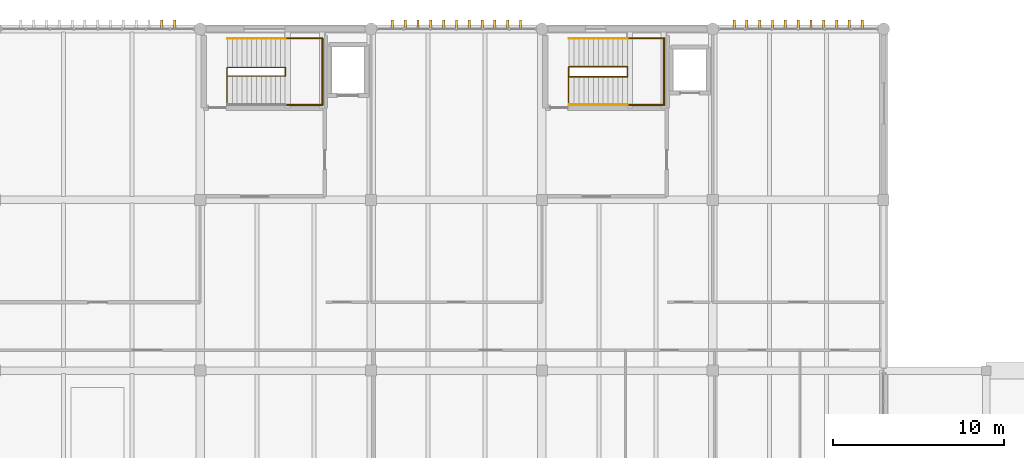
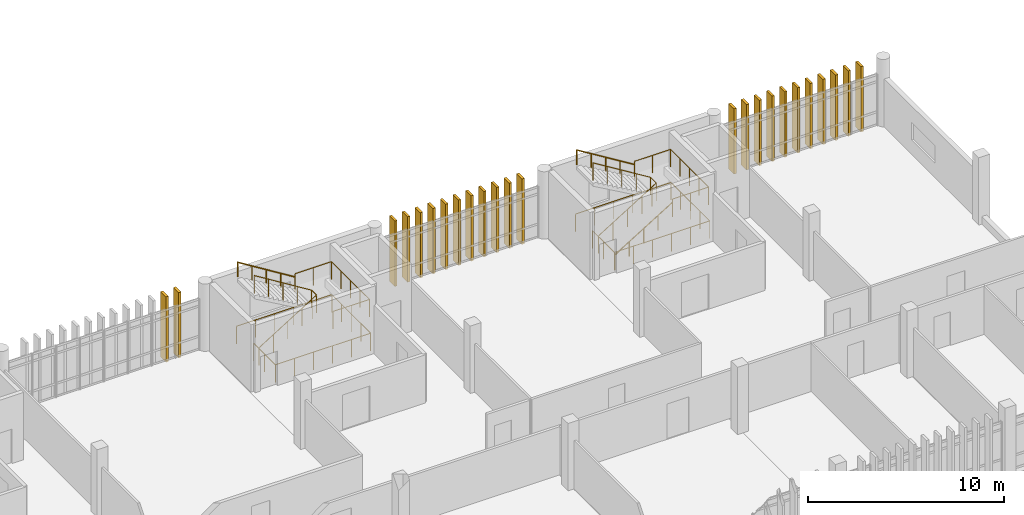
# One storey, part 82 of 82: 24 shading devices, 9 railings.
"""IFC4 building model written with IfcOpenShell, lengths in metres."""

import ifcopenshell
import ifcopenshell.guid

model = None  # the IFC model being written
_history = None  # IfcOwnerHistory: only IFC2X3 demands one
_inside = {}  # id of a spatial element -> (the spatial element, [elements in it])
_under = {}  # id of a project, library or spatial element -> (it, [spatial elements below it])
_declared = {}  # id of a project -> (the project, [libraries it declares])
_typed = {}  # id of a type object -> (the type object, [elements of that type])
_made_of = {}  # id of a material, layer set ... -> (it, [elements and type objects made of it])


def new_model(schema):
    """Start an empty IFC model of exactly this schema.

    Asked for "IFC4X3", IfcOpenShell would pick the latest addendum, in which some entities
    have other attributes; the version numbers below select the first issue.
    IFC2X3 requires an IfcOwnerHistory on every rooted entity: one is made here for all.
    """
    global model, _history
    if schema == "IFC4X3":
        model = ifcopenshell.file(schema_version=(4, 3, 0, 0))
    else:
        model = ifcopenshell.file(schema=schema)
    _inside.clear()
    _under.clear()
    _declared.clear()
    _typed.clear()
    _made_of.clear()
    _history = None
    if model.schema == "IFC2X3":
        org = make("IfcOrganization", Name="unknown")
        user = make(
            "IfcPersonAndOrganization",
            ThePerson=make("IfcPerson", FamilyName="unknown"),
            TheOrganization=org,
        )
        app = make(
            "IfcApplication",
            ApplicationDeveloper=org,
            Version="unknown",
            ApplicationFullName="unknown",
            ApplicationIdentifier="unknown",
        )
        _history = make(
            "IfcOwnerHistory",
            OwningUser=user,
            OwningApplication=app,
            ChangeAction="ADDED",
            CreationDate=0,
        )
    return model


def make(cls, **values):
    """One entity of the class cls with the attributes given. An attribute that is None is left unset."""
    return model.create_entity(
        cls, **{name: value for name, value in values.items() if value is not None}
    )


def rooted(cls, **values):
    """An entity with a GlobalId (a new one), such as an element, a storey or a relation."""
    return make(cls, GlobalId=ifcopenshell.guid.new(), OwnerHistory=_history, **values)


def si_unit(unit_type, name, prefix=None):
    """IfcSIUnit, for example si_unit("LENGTHUNIT", "METRE", prefix="MILLI")."""
    return make("IfcSIUnit", UnitType=unit_type, Prefix=prefix, Name=name)


def assignment(units):
    """IfcUnitAssignment: the units of a project."""
    return None if units is None else make("IfcUnitAssignment", Units=units)


def point(xyz):
    """IfcCartesianPoint."""
    return None if xyz is None else make("IfcCartesianPoint", Coordinates=xyz)


def direction(xyz):
    """IfcDirection."""
    return None if xyz is None else make("IfcDirection", DirectionRatios=xyz)


def frame(location, z_axis=None, x_axis=None):
    """IfcAxis2Placement3D, a coordinate frame: its origin and axes. An axis left out is left unset."""
    return make(
        "IfcAxis2Placement3D",
        Location=point(location),
        Axis=direction(z_axis),
        RefDirection=direction(x_axis),
    )


def frame_2d(location, x_axis=None):
    """IfcAxis2Placement2D, a coordinate frame in the plane: its origin and x axis."""
    return make(
        "IfcAxis2Placement2D", Location=point(location), RefDirection=direction(x_axis)
    )


def origin():
    """The frame at (0, 0, 0) with its axes left unset."""
    return frame((0.0, 0.0, 0.0))


def origin_2d():
    """The frame at (0, 0) in the plane with its x axis left unset."""
    return frame_2d((0.0, 0.0))


def place(relative_to, where):
    """IfcLocalPlacement: puts the frame where relative to a parent placement (None: the world)."""
    return make(
        "IfcLocalPlacement", PlacementRelTo=relative_to, RelativePlacement=where
    )


def context(
    kind, dimensions, precision=None, world=None, true_north=None, identifier=None
):
    """IfcGeometricRepresentationContext, for example the 3D "Model" context."""
    return make(
        "IfcGeometricRepresentationContext",
        ContextIdentifier=identifier,
        ContextType=kind,
        CoordinateSpaceDimension=dimensions,
        Precision=precision,
        WorldCoordinateSystem=world,
        TrueNorth=true_north,
    )


def subcontext(parent, identifier, kind, view, scale=None):
    """IfcGeometricRepresentationSubContext, for example "Body" below "Model"."""
    return make(
        "IfcGeometricRepresentationSubContext",
        ContextIdentifier=identifier,
        ContextType=kind,
        ParentContext=parent,
        TargetScale=scale,
        TargetView=view,
    )


def project(units=None, contexts=None):
    """IfcProject with its units and contexts."""
    return rooted(
        "IfcProject",
        Name="project",
        RepresentationContexts=contexts,
        UnitsInContext=assignment(units),
    )


def spatial(cls, under=None, at=None, **own):
    """A site, building, storey or space (cls), placed at a placement, below another one or the project."""
    s = rooted(cls, ObjectPlacement=at, **own)
    if under is not None:
        _under.setdefault(under.id(), (under, []))[1].append(s)
    return s


def profile(cls, at=None, kind="AREA", **sizes):
    """A parametric profile (cls). Its sizes go by their IFC names, for example OverallWidth=200.0."""
    return make(cls, ProfileType=kind, Position=at, **sizes)


def rectangle(**sizes):
    """IfcRectangleProfileDef."""
    return profile("IfcRectangleProfileDef", **sizes)


def circle(**sizes):
    """IfcCircleProfileDef."""
    return profile("IfcCircleProfileDef", **sizes)


def extrude(swept, where, along, depth):
    """IfcExtrudedAreaSolid: the profile swept, set in the frame where, extruded along a direction by depth."""
    return make(
        "IfcExtrudedAreaSolid",
        SweptArea=swept,
        Position=where,
        ExtrudedDirection=direction(along),
        Depth=depth,
    )


def shape(context_of_items, identifier, shape_type, items):
    """IfcShapeRepresentation: the items that make up one representation, for example the "Body"."""
    return make(
        "IfcShapeRepresentation",
        ContextOfItems=context_of_items,
        RepresentationIdentifier=identifier,
        RepresentationType=shape_type,
        Items=items,
    )


def material(Name=None, Category=None):
    """IfcMaterial."""
    return make("IfcMaterial", Name=Name, Category=Category)


def made_of(thing, what):
    """Note that an element or type object is made of a material, layer set ...; save() writes the relation."""
    if what is not None:
        _made_of.setdefault(what.id(), (what, []))[1].append(thing)
    return thing


def type_object(cls, material=None, **own):
    """A type object (cls), such as IfcWallType, which elements share."""
    return made_of(rooted(cls, **own), material)


def element(
    cls,
    number,
    at=None,
    inside=None,
    cuts=None,
    type_object=None,
    material=None,
    context=None,
    identifier="Body",
    shape_type=None,
    held_by="IfcProductDefinitionShape",
    body=None,
    shapes=None,
    **own,
):
    """One element of the class cls, such as IfcWall. Its Tag is "e" and its number.

    at: its placement. inside: the storey or other place that contains it. cuts: it is an
    opening in that element (IfcRelVoidsElement). A single representation is given by context,
    identifier, shape_type and body (its items); several are given by shapes. held_by: the class
    of the entity that holds the representations. save() writes the other relations.
    """
    e = rooted(cls, Tag="e%d" % number, ObjectPlacement=at, **own)
    if body is not None:
        shapes = [shape(context, identifier, shape_type, body)]
    if shapes is not None:
        e.Representation = make(held_by, Representations=shapes)
    if inside is not None:
        _inside.setdefault(inside.id(), (inside, []))[1].append(e)
    if cuts is not None:
        rooted(
            "IfcRelVoidsElement", RelatingBuildingElement=cuts, RelatedOpeningElement=e
        )
    if type_object is not None:
        _typed.setdefault(type_object.id(), (type_object, []))[1].append(e)
    return made_of(e, material)


def aggregate(whole, parts):
    """IfcRelAggregates: a whole, such as a stair, and the parts it consists of."""
    return rooted("IfcRelAggregates", RelatingObject=whole, RelatedObjects=parts)


def save(model, path):
    """Write the relations noted so far, then the file.

    IfcRelAggregates (storeys below a building ...), IfcRelContainedInSpatialStructure (elements
    in a storey), IfcRelDefinesByType, IfcRelAssociatesMaterial and IfcRelDeclares: one each for
    every whole, place, type object, material and project.
    """
    for whole, parts in _under.values():
        aggregate(whole, parts)
    for where, things in _inside.values():
        rooted(
            "IfcRelContainedInSpatialStructure",
            RelatedElements=things,
            RelatingStructure=where,
        )
    for kind, things in _typed.values():
        rooted("IfcRelDefinesByType", RelatedObjects=things, RelatingType=kind)
    for what, things in _made_of.values():
        rooted("IfcRelAssociatesMaterial", RelatedObjects=things, RelatingMaterial=what)
    for by, libraries in _declared.values():
        rooted("IfcRelDeclares", RelatingContext=by, RelatedDefinitions=libraries)
    model.write(path)


model = new_model("IFC4")

# Units and contexts
model_context = context("Model", 3, precision=1e-05, world=origin(), true_north=direction((0.0, 1.0)))
body_context = subcontext(model_context, "Body", "Model", "MODEL_VIEW")
ifc_project = project(units=[si_unit("LENGTHUNIT", "METRE"), si_unit("AREAUNIT", "SQUARE_METRE"), si_unit("VOLUMEUNIT", "CUBIC_METRE"), si_unit("PLANEANGLEUNIT", "RADIAN"), si_unit("MASSUNIT", "GRAM", prefix="KILO")], contexts=[model_context])

# Site, building, storey
site_placement = place(None, origin())
site = spatial("IfcSite", under=ifc_project, at=site_placement, CompositionType="ELEMENT")
building_placement = place(site_placement, origin())
building = spatial("IfcBuilding", under=site, at=building_placement, Name="Mersad Railyard Sports Hall", CompositionType="ELEMENT")
storey_placement = place(building_placement, frame((0.0, 0.0, 13.199951171875)))
storey = spatial("IfcBuildingStorey", under=building, at=storey_placement, Name="L03", CompositionType="ELEMENT", Elevation=13.199951171875)

# Railings
ifc_material_1 = material(Name="Steel S355", Category="steel")
railing_type_1 = type_object("IfcRailingType", Name="ARC-RL-GR01", PredefinedType="GUARDRAIL", material=ifc_material_1)
railing_1_placement = place(storey_placement, frame((92.56005859375, 112.72998046875, 0.0)))
element("IfcRailing", 1, at=railing_1_placement, inside=storey, type_object=railing_type_1, Name="Interior guard GR01-0050", PredefinedType="GUARDRAIL", context=body_context, shape_type="SweptSolid", body=[
    extrude(circle(Radius=0.02392578125, at=origin_2d()), frame((0.0, 0.0, 1.09619140625), z_axis=(0.0, -1.0, 0.0), x_axis=(1.0, 0.0, 0.0)), (0.0, 0.0, 1.0), 2.2099609375),
    extrude(circle(Radius=0.02392578125, at=origin_2d()), frame((0.0, -2.2099609375, 1.09619140625), z_axis=(1.0, 0.0, 0.0), x_axis=(0.0, 1.0, 0.0)), (0.0, 0.0, 1.0), 5.619873046875),
    extrude(circle(Radius=0.02392578125, at=origin_2d()), frame((5.619873046875, -2.2099609375, 1.09619140625), z_axis=(0.0, 1.0, 0.0), x_axis=(-1.0, 0.0, 0.0)), (0.0, 0.0, 1.0), 3.9599609375),
    extrude(circle(Radius=0.02392578125, at=origin_2d()), frame((5.619873046875, 1.75, 1.09619140625), z_axis=(-1.0, 0.0, 0.0), x_axis=(0.0, -1.0, 0.0)), (0.0, 0.0, 1.0), 5.619873046875),
    extrude(circle(Radius=0.02099609375, at=origin_2d()), origin(), (0.0, 0.0, 1.0), 1.072021484375),
    extrude(circle(Radius=0.02099609375, at=origin_2d()), frame((0.0, -1.10498046875, 0.0)), (0.0, 0.0, 1.0), 1.072021484375),
    extrude(circle(Radius=0.02099609375, at=origin_2d()), frame((0.0, -2.2099609375, 0.0)), (0.0, 0.0, 1.0), 1.072021484375),
    extrude(circle(Radius=0.02099609375, at=origin_2d()), frame((1.1240234375, -2.2099609375, 0.0)), (0.0, 0.0, 1.0), 1.072021484375),
    extrude(circle(Radius=0.02099609375, at=origin_2d()), frame((2.248046875, -2.2099609375, 0.0)), (0.0, 0.0, 1.0), 1.072021484375),
    extrude(circle(Radius=0.02099609375, at=origin_2d()), frame((3.371826171875, -2.2099609375, 0.0)), (0.0, 0.0, 1.0), 1.072021484375),
    extrude(circle(Radius=0.02099609375, at=origin_2d()), frame((4.495849609375, -2.2099609375, 0.0)), (0.0, 0.0, 1.0), 1.072021484375),
    extrude(circle(Radius=0.02099609375, at=origin_2d()), frame((5.619873046875, -2.2099609375, 0.0)), (0.0, 0.0, 1.0), 1.072021484375),
    extrude(circle(Radius=0.02099609375, at=origin_2d()), frame((5.619873046875, -1.219970703125, 0.0)), (0.0, 0.0, 1.0), 1.072021484375),
    extrude(circle(Radius=0.02099609375, at=origin_2d()), frame((5.619873046875, -0.22998046875, 0.0)), (0.0, 0.0, 1.0), 1.072021484375),
    extrude(circle(Radius=0.02099609375, at=origin_2d()), frame((5.619873046875, 0.760009765625, 0.0)), (0.0, 0.0, 1.0), 1.072021484375),
    extrude(circle(Radius=0.02099609375, at=origin_2d()), frame((5.619873046875, 1.75, 0.0)), (0.0, 0.0, 1.0), 1.072021484375),
    extrude(circle(Radius=0.02099609375, at=origin_2d()), frame((4.495849609375, 1.75, 0.0)), (0.0, 0.0, 1.0), 1.072021484375),
    extrude(circle(Radius=0.02099609375, at=origin_2d()), frame((3.371826171875, 1.75, 0.0)), (0.0, 0.0, 1.0), 1.072021484375),
    extrude(circle(Radius=0.02099609375, at=origin_2d()), frame((2.248046875, 1.75, 0.0)), (0.0, 0.0, 1.0), 1.072021484375),
    extrude(circle(Radius=0.02099609375, at=origin_2d()), frame((1.1240234375, 1.75, 0.0)), (0.0, 0.0, 1.0), 1.072021484375),
    extrude(circle(Radius=0.02099609375, at=origin_2d()), frame((0.0, 1.75, 0.0)), (0.0, 0.0, 1.0), 1.072021484375),
])
railing_2_placement = place(storey_placement, frame((92.60009765625, 112.25, 0.0)))
element("IfcRailing", 2, at=railing_2_placement, inside=storey, type_object=railing_type_1, Name="Interior guard GR01-0053", PredefinedType="GUARDRAIL", context=body_context, shape_type="SweptSolid", body=[
    extrude(circle(Radius=0.02392578125, at=origin_2d()), frame((0.0, 0.0, 1.09619140625), z_axis=(0.849661003328, 0.0, 0.527329289367), x_axis=(0.0, 1.0, 0.0)), (0.0, 0.0, 1.0), 3.982421875),
    extrude(circle(Radius=0.02392578125, at=origin_2d()), frame((3.3837890625, 0.0, 3.1962890625), z_axis=(0.0, 1.0, 0.0), x_axis=(-1.0, 0.0, 0.0)), (0.0, 0.0, 1.0), 0.5),
    extrude(circle(Radius=0.02392578125, at=origin_2d()), frame((3.3837890625, 0.5, 3.1962890625), z_axis=(-0.849688469988, 0.0, 0.527285031051), x_axis=(0.0, -1.0, 0.0)), (0.0, 0.0, 1.0), 3.982421875),
    extrude(circle(Radius=0.02099609375, at=origin_2d()), origin(), (0.0, 0.0, 1.0), 1.072021484375),
    extrude(circle(Radius=0.02099609375, at=origin_2d()), frame((0.845947265625, 0.0, 0.52490234375)), (0.0, 0.0, 1.0), 1.072021484375),
    extrude(circle(Radius=0.02099609375, at=origin_2d()), frame((1.69189453125, 0.0, 1.050048828125)), (0.0, 0.0, 1.0), 1.072021484375),
    extrude(circle(Radius=0.02099609375, at=origin_2d()), frame((2.537841796875, 0.0, 1.5751953125)), (0.0, 0.0, 1.0), 1.072021484375),
    extrude(circle(Radius=0.02099609375, at=origin_2d()), frame((3.3837890625, 0.0, 2.10009765625)), (0.0, 0.0, 1.0), 1.072021484375),
    extrude(circle(Radius=0.02099609375, at=origin_2d()), frame((3.3837890625, 0.5, 2.10009765625)), (0.0, 0.0, 1.0), 1.072021484375),
    extrude(circle(Radius=0.02099609375, at=origin_2d()), frame((2.537841796875, 0.5, 2.625)), (0.0, 0.0, 1.0), 1.072021484375),
    extrude(circle(Radius=0.02099609375, at=origin_2d()), frame((1.69189453125, 0.5, 3.14990234375)), (0.0, 0.0, 1.0), 1.072021484375),
    extrude(circle(Radius=0.02099609375, at=origin_2d()), frame((0.845947265625, 0.5, 3.675048828125)), (0.0, 0.0, 1.0), 1.072021484375),
    extrude(circle(Radius=0.02099609375, at=origin_2d()), frame((0.0, 0.5, 4.199951171875)), (0.0, 0.0, 1.0), 1.072021484375),
])
railing_3_placement = place(storey_placement, frame((95.98388671875, 110.56005859375, 2.10009765625)))
element("IfcRailing", 3, at=railing_3_placement, inside=storey, type_object=railing_type_1, Name="Interior guard GR01-0054", PredefinedType="GUARDRAIL", context=body_context, shape_type="SweptSolid", body=[
    extrude(circle(Radius=0.02392578125, at=origin_2d()), frame((0.0, 0.0, 1.09619140625), z_axis=(1.0, 0.0, 0.0), x_axis=(0.0, 1.0, 0.0)), (0.0, 0.0, 1.0), 2.156005859375),
    extrude(circle(Radius=0.02392578125, at=origin_2d()), frame((2.156005859375, 0.0, 1.09619140625), z_axis=(0.0, 1.0, 0.0), x_axis=(-1.0, 0.0, 0.0)), (0.0, 0.0, 1.0), 3.8798828125),
    extrude(circle(Radius=0.02392578125, at=origin_2d()), frame((2.156005859375, 3.8798828125, 1.09619140625), z_axis=(-1.0, 0.0, 0.0), x_axis=(0.0, -1.0, 0.0)), (0.0, 0.0, 1.0), 2.156005859375),
    extrude(circle(Radius=0.02099609375, at=origin_2d()), origin(), (0.0, 0.0, 1.0), 1.072021484375),
    extrude(circle(Radius=0.02099609375, at=origin_2d()), frame((1.078125, 0.0, 0.0)), (0.0, 0.0, 1.0), 1.072021484375),
    extrude(circle(Radius=0.02099609375, at=origin_2d()), frame((2.156005859375, 0.0, 0.0)), (0.0, 0.0, 1.0), 1.072021484375),
    extrude(circle(Radius=0.02099609375, at=origin_2d()), frame((2.156005859375, 0.969970703125, 0.0)), (0.0, 0.0, 1.0), 1.072021484375),
    extrude(circle(Radius=0.02099609375, at=origin_2d()), frame((2.156005859375, 1.93994140625, 0.0)), (0.0, 0.0, 1.0), 1.072021484375),
    extrude(circle(Radius=0.02099609375, at=origin_2d()), frame((2.156005859375, 2.909912109375, 0.0)), (0.0, 0.0, 1.0), 1.072021484375),
    extrude(circle(Radius=0.02099609375, at=origin_2d()), frame((2.156005859375, 3.8798828125, 0.0)), (0.0, 0.0, 1.0), 1.072021484375),
    extrude(circle(Radius=0.02099609375, at=origin_2d()), frame((1.078125, 3.8798828125, 0.0)), (0.0, 0.0, 1.0), 1.072021484375),
    extrude(circle(Radius=0.02099609375, at=origin_2d()), frame((0.0, 3.8798828125, 0.0)), (0.0, 0.0, 1.0), 1.072021484375),
])
railing_4_placement = place(storey_placement, frame((112.56005859375, 112.77001953125, 0.0)))
element("IfcRailing", 4, at=railing_4_placement, inside=storey, type_object=railing_type_1, Name="Interior guard GR01-0080", PredefinedType="GUARDRAIL", context=body_context, shape_type="SweptSolid", body=[
    extrude(circle(Radius=0.02392578125, at=origin_2d()), frame((0.0, 0.0, 1.09619140625), z_axis=(0.0, -1.0, 0.0), x_axis=(1.0, 0.0, 0.0)), (0.0, 0.0, 1.0), 2.25),
    extrude(circle(Radius=0.02392578125, at=origin_2d()), frame((0.0, -2.25, 1.09619140625), z_axis=(1.0, 0.0, 0.0), x_axis=(0.0, 1.0, 0.0)), (0.0, 0.0, 1.0), 5.619873046875),
    extrude(circle(Radius=0.02392578125, at=origin_2d()), frame((5.619873046875, -2.25, 1.09619140625), z_axis=(0.0, 1.0, 0.0), x_axis=(-1.0, 0.0, 0.0)), (0.0, 0.0, 1.0), 3.9599609375),
    extrude(circle(Radius=0.02392578125, at=origin_2d()), frame((5.619873046875, 1.7099609375, 1.09619140625), z_axis=(-1.0, 0.0, 0.0), x_axis=(0.0, -1.0, 0.0)), (0.0, 0.0, 1.0), 5.619873046875),
    extrude(circle(Radius=0.02099609375, at=origin_2d()), origin(), (0.0, 0.0, 1.0), 1.072021484375),
    extrude(circle(Radius=0.02099609375, at=origin_2d()), frame((0.0, -1.125, 0.0)), (0.0, 0.0, 1.0), 1.072021484375),
    extrude(circle(Radius=0.02099609375, at=origin_2d()), frame((0.0, -2.25, 0.0)), (0.0, 0.0, 1.0), 1.072021484375),
    extrude(circle(Radius=0.02099609375, at=origin_2d()), frame((1.1240234375, -2.25, 0.0)), (0.0, 0.0, 1.0), 1.072021484375),
    extrude(circle(Radius=0.02099609375, at=origin_2d()), frame((2.248046875, -2.25, 0.0)), (0.0, 0.0, 1.0), 1.072021484375),
    extrude(circle(Radius=0.02099609375, at=origin_2d()), frame((3.371826171875, -2.25, 0.0)), (0.0, 0.0, 1.0), 1.072021484375),
    extrude(circle(Radius=0.02099609375, at=origin_2d()), frame((4.495849609375, -2.25, 0.0)), (0.0, 0.0, 1.0), 1.072021484375),
    extrude(circle(Radius=0.02099609375, at=origin_2d()), frame((5.619873046875, -2.25, 0.0)), (0.0, 0.0, 1.0), 1.072021484375),
    extrude(circle(Radius=0.02099609375, at=origin_2d()), frame((5.619873046875, -1.260009765625, 0.0)), (0.0, 0.0, 1.0), 1.072021484375),
    extrude(circle(Radius=0.02099609375, at=origin_2d()), frame((5.619873046875, -0.27001953125, 0.0)), (0.0, 0.0, 1.0), 1.072021484375),
    extrude(circle(Radius=0.02099609375, at=origin_2d()), frame((5.619873046875, 0.719970703125, 0.0)), (0.0, 0.0, 1.0), 1.072021484375),
    extrude(circle(Radius=0.02099609375, at=origin_2d()), frame((5.619873046875, 1.7099609375, 0.0)), (0.0, 0.0, 1.0), 1.072021484375),
    extrude(circle(Radius=0.02099609375, at=origin_2d()), frame((4.495849609375, 1.7099609375, 0.0)), (0.0, 0.0, 1.0), 1.072021484375),
    extrude(circle(Radius=0.02099609375, at=origin_2d()), frame((3.371826171875, 1.7099609375, 0.0)), (0.0, 0.0, 1.0), 1.072021484375),
    extrude(circle(Radius=0.02099609375, at=origin_2d()), frame((2.248046875, 1.7099609375, 0.0)), (0.0, 0.0, 1.0), 1.072021484375),
    extrude(circle(Radius=0.02099609375, at=origin_2d()), frame((1.1240234375, 1.7099609375, 0.0)), (0.0, 0.0, 1.0), 1.072021484375),
    extrude(circle(Radius=0.02099609375, at=origin_2d()), frame((0.0, 1.7099609375, 0.0)), (0.0, 0.0, 1.0), 1.072021484375),
])
railing_5_placement = place(storey_placement, frame((112.60009765625, 112.2099609375, 0.0)))
element("IfcRailing", 5, at=railing_5_placement, inside=storey, type_object=railing_type_1, Name="Interior guard GR01-0083", PredefinedType="GUARDRAIL", context=body_context, shape_type="SweptSolid", body=[
    extrude(circle(Radius=0.02392578125, at=origin_2d()), frame((0.0, 0.0, 1.09619140625), z_axis=(0.851335676579, 0.0, 0.524621354677), x_axis=(0.0, 1.0, 0.0)), (0.0, 0.0, 1.0), 4.003173828125),
    extrude(circle(Radius=0.02392578125, at=origin_2d()), frame((3.407958984375, 0.0, 3.1962890625), z_axis=(0.0, 1.0, 0.0), x_axis=(-1.0, 0.0, 0.0)), (0.0, 0.0, 1.0), 0.580078125),
    extrude(circle(Radius=0.02392578125, at=origin_2d()), frame((3.407958984375, 0.580078125, 3.1962890625), z_axis=(-0.851362915439, 0.0, 0.524577149917), x_axis=(0.0, -1.0, 0.0)), (0.0, 0.0, 1.0), 4.0029296875),
    extrude(circle(Radius=0.02099609375, at=origin_2d()), origin(), (0.0, 0.0, 1.0), 1.072021484375),
    extrude(circle(Radius=0.02099609375, at=origin_2d()), frame((0.85205078125, 0.0, 0.52490234375)), (0.0, 0.0, 1.0), 1.072021484375),
    extrude(circle(Radius=0.02099609375, at=origin_2d()), frame((1.7041015625, 0.0, 1.050048828125)), (0.0, 0.0, 1.0), 1.072021484375),
    extrude(circle(Radius=0.02099609375, at=origin_2d()), frame((2.555908203125, 0.0, 1.5751953125)), (0.0, 0.0, 1.0), 1.072021484375),
    extrude(circle(Radius=0.02099609375, at=origin_2d()), frame((3.407958984375, 0.0, 2.10009765625)), (0.0, 0.0, 1.0), 1.072021484375),
    extrude(circle(Radius=0.02099609375, at=origin_2d()), frame((3.407958984375, 0.580078125, 2.10009765625)), (0.0, 0.0, 1.0), 1.072021484375),
    extrude(circle(Radius=0.02099609375, at=origin_2d()), frame((2.555908203125, 0.580078125, 2.625)), (0.0, 0.0, 1.0), 1.072021484375),
    extrude(circle(Radius=0.02099609375, at=origin_2d()), frame((1.7041015625, 0.580078125, 3.14990234375)), (0.0, 0.0, 1.0), 1.072021484375),
    extrude(circle(Radius=0.02099609375, at=origin_2d()), frame((0.85205078125, 0.580078125, 3.675048828125)), (0.0, 0.0, 1.0), 1.072021484375),
    extrude(circle(Radius=0.02099609375, at=origin_2d()), frame((0.0, 0.580078125, 4.199951171875)), (0.0, 0.0, 1.0), 1.072021484375),
])
railing_6_placement = place(storey_placement, frame((116.008056640625, 110.56005859375, 2.10009765625)))
element("IfcRailing", 6, at=railing_6_placement, inside=storey, type_object=railing_type_1, Name="Interior guard GR01-0084", PredefinedType="GUARDRAIL", context=body_context, shape_type="SweptSolid", body=[
    extrude(circle(Radius=0.02392578125, at=origin_2d()), frame((0.0, 0.0, 1.09619140625), z_axis=(1.0, 0.0, 0.0), x_axis=(0.0, 1.0, 0.0)), (0.0, 0.0, 1.0), 2.1318359375),
    extrude(circle(Radius=0.02392578125, at=origin_2d()), frame((2.1318359375, 0.0, 1.09619140625), z_axis=(0.0, 1.0, 0.0), x_axis=(-1.0, 0.0, 0.0)), (0.0, 0.0, 1.0), 3.8798828125),
    extrude(circle(Radius=0.02392578125, at=origin_2d()), frame((2.1318359375, 3.8798828125, 1.09619140625), z_axis=(-1.0, 0.0, 0.0), x_axis=(0.0, -1.0, 0.0)), (0.0, 0.0, 1.0), 2.1318359375),
    extrude(circle(Radius=0.02099609375, at=origin_2d()), origin(), (0.0, 0.0, 1.0), 1.072021484375),
    extrude(circle(Radius=0.02099609375, at=origin_2d()), frame((1.06591796875, 0.0, 0.0)), (0.0, 0.0, 1.0), 1.072021484375),
    extrude(circle(Radius=0.02099609375, at=origin_2d()), frame((2.1318359375, 0.0, 0.0)), (0.0, 0.0, 1.0), 1.072021484375),
    extrude(circle(Radius=0.02099609375, at=origin_2d()), frame((2.1318359375, 0.969970703125, 0.0)), (0.0, 0.0, 1.0), 1.072021484375),
    extrude(circle(Radius=0.02099609375, at=origin_2d()), frame((2.1318359375, 1.93994140625, 0.0)), (0.0, 0.0, 1.0), 1.072021484375),
    extrude(circle(Radius=0.02099609375, at=origin_2d()), frame((2.1318359375, 2.909912109375, 0.0)), (0.0, 0.0, 1.0), 1.072021484375),
    extrude(circle(Radius=0.02099609375, at=origin_2d()), frame((2.1318359375, 3.8798828125, 0.0)), (0.0, 0.0, 1.0), 1.072021484375),
    extrude(circle(Radius=0.02099609375, at=origin_2d()), frame((1.06591796875, 3.8798828125, 0.0)), (0.0, 0.0, 1.0), 1.072021484375),
    extrude(circle(Radius=0.02099609375, at=origin_2d()), frame((0.0, 3.8798828125, 0.0)), (0.0, 0.0, 1.0), 1.072021484375),
])
railing_type_2 = type_object("IfcRailingType", Name="ARC-RL-HR01", PredefinedType="HANDRAIL", material=ifc_material_1)
railing_7_placement = place(storey_placement, frame((95.98388671875, 114.43994140625, 2.10009765625)))
element("IfcRailing", 7, at=railing_7_placement, inside=storey, type_object=railing_type_2, Name="Interior handrail HR01-0052", PredefinedType="HANDRAIL", context=body_context, shape_type="SweptSolid", body=[
    extrude(circle(Radius=0.02392578125, at=origin_2d()), frame((0.0, 0.0, 0.89599609375), z_axis=(-0.849688469988, 0.0, 0.527285031051), x_axis=(0.0, -1.0, 0.0)), (0.0, 0.0, 1.0), 3.982421875),
    extrude(circle(Radius=0.02099609375, at=origin_2d()), origin(), (0.0, 0.0, 1.0), 0.871826171875),
    extrude(circle(Radius=0.02099609375, at=origin_2d()), frame((-0.845947265625, 0.0, 0.52490234375)), (0.0, 0.0, 1.0), 0.871826171875),
    extrude(circle(Radius=0.02099609375, at=origin_2d()), frame((-1.69189453125, 0.0, 1.0498046875)), (0.0, 0.0, 1.0), 0.871826171875),
    extrude(circle(Radius=0.02099609375, at=origin_2d()), frame((-2.537841796875, 0.0, 1.574951171875)), (0.0, 0.0, 1.0), 0.871826171875),
    extrude(circle(Radius=0.02099609375, at=origin_2d()), frame((-3.3837890625, 0.0, 2.099853515625)), (0.0, 0.0, 1.0), 0.871826171875),
])
railing_8_placement = place(storey_placement, frame((112.60009765625, 110.56005859375, 0.0)))
element("IfcRailing", 8, at=railing_8_placement, inside=storey, type_object=railing_type_2, Name="Interior handrail HR01-0081", PredefinedType="HANDRAIL", context=body_context, shape_type="SweptSolid", body=[
    extrude(circle(Radius=0.02392578125, at=origin_2d()), frame((0.0, 0.0, 0.89599609375), z_axis=(0.851335676579, 0.0, 0.524621354677), x_axis=(0.0, 1.0, 0.0)), (0.0, 0.0, 1.0), 4.003173828125),
    extrude(circle(Radius=0.02099609375, at=origin_2d()), origin(), (0.0, 0.0, 1.0), 0.871826171875),
    extrude(circle(Radius=0.02099609375, at=origin_2d()), frame((0.85205078125, 0.0, 0.52490234375)), (0.0, 0.0, 1.0), 0.871826171875),
    extrude(circle(Radius=0.02099609375, at=origin_2d()), frame((1.7041015625, 0.0, 1.050048828125)), (0.0, 0.0, 1.0), 0.871826171875),
    extrude(circle(Radius=0.02099609375, at=origin_2d()), frame((2.555908203125, 0.0, 1.5751953125)), (0.0, 0.0, 1.0), 0.871826171875),
    extrude(circle(Radius=0.02099609375, at=origin_2d()), frame((3.407958984375, 0.0, 2.10009765625)), (0.0, 0.0, 1.0), 0.871826171875),
])
railing_9_placement = place(storey_placement, frame((116.008056640625, 114.43994140625, 2.10009765625)))
element("IfcRailing", 9, at=railing_9_placement, inside=storey, type_object=railing_type_2, Name="Interior handrail HR01-0082", PredefinedType="HANDRAIL", context=body_context, shape_type="SweptSolid", body=[
    extrude(circle(Radius=0.02392578125, at=origin_2d()), frame((0.0, 0.0, 0.89599609375), z_axis=(-0.851362915439, 0.0, 0.524577149917), x_axis=(0.0, -1.0, 0.0)), (0.0, 0.0, 1.0), 4.0029296875),
    extrude(circle(Radius=0.02099609375, at=origin_2d()), origin(), (0.0, 0.0, 1.0), 0.871826171875),
    extrude(circle(Radius=0.02099609375, at=origin_2d()), frame((-0.85205078125, 0.0, 0.52490234375)), (0.0, 0.0, 1.0), 0.871826171875),
    extrude(circle(Radius=0.02099609375, at=origin_2d()), frame((-1.7041015625, 0.0, 1.0498046875)), (0.0, 0.0, 1.0), 0.871826171875),
    extrude(circle(Radius=0.02099609375, at=origin_2d()), frame((-2.555908203125, 0.0, 1.574951171875)), (0.0, 0.0, 1.0), 0.871826171875),
    extrude(circle(Radius=0.02099609375, at=origin_2d()), frame((-3.407958984375, 0.0, 2.099853515625)), (0.0, 0.0, 1.0), 0.871826171875),
])

# Shading devices
ifc_material_2 = material(Name="Precast concrete C45/55", Category="concrete")
shading_device_type = type_object("IfcShadingDeviceType", Name="ARC-SH-FN01", PredefinedType="USERDEFINED", material=ifc_material_2)
for number, where, z_axis, x_axis, name in (
    (10, (88.75, 115.25, -0.10009765625), (0.0, 0.0, 1.0), (1.0, 0.0, 0.0), "Precast sun fin FN01-0505"),
    (11, (89.5, 115.25, -0.10009765625), (0.0, 0.0, 1.0), (1.0, 0.0, 0.0), "Precast sun fin FN01-0506"),
    (12, (102.25, 115.25, -0.10009765625), (0.0, 0.0, 1.0), (1.0, 0.0, 0.0), "Precast sun fin FN01-0507"),
    (13, (103.0, 115.25, -0.10009765625), (0.0, 0.0, 1.0), (1.0, 0.0, 0.0), "Precast sun fin FN01-0508"),
    (14, (103.75, 115.25, -0.10009765625), (0.0, 0.0, 1.0), (1.0, 0.0, 0.0), "Precast sun fin FN01-0509"),
    (15, (104.5, 115.25, -0.10009765625), (0.0, 0.0, 1.0), (1.0, 0.0, 0.0), "Precast sun fin FN01-0510"),
    (16, (105.25, 115.25, -0.10009765625), (0.0, 0.0, 1.0), (1.0, 0.0, 0.0), "Precast sun fin FN01-0511"),
    (17, (106.0, 115.25, -0.10009765625), (0.0, 0.0, 1.0), (1.0, 0.0, 0.0), "Precast sun fin FN01-0512"),
    (18, (106.75, 115.25, -0.10009765625), (0.0, 0.0, 1.0), (1.0, 0.0, 0.0), "Precast sun fin FN01-0513"),
    (19, (107.5, 115.25, -0.10009765625), (0.0, 0.0, 1.0), (1.0, 0.0, 0.0), "Precast sun fin FN01-0514"),
    (20, (108.25, 115.25, -0.10009765625), (0.0, 0.0, 1.0), (1.0, 0.0, 0.0), "Precast sun fin FN01-0515"),
    (21, (109.0, 115.25, -0.10009765625), (0.0, 0.0, 1.0), (1.0, 0.0, 0.0), "Precast sun fin FN01-0516"),
    (22, (109.75, 115.25, -0.10009765625), (0.0, 0.0, 1.0), (1.0, 0.0, 0.0), "Precast sun fin FN01-0517"),
    (23, (122.25, 115.25, -0.10009765625), (0.0, 0.0, 1.0), (1.0, 0.0, 0.0), "Precast sun fin FN01-0518"),
    (24, (123.0, 115.25, -0.10009765625), (0.0, 0.0, 1.0), (1.0, 0.0, 0.0), "Precast sun fin FN01-0519"),
    (25, (123.75, 115.25, -0.10009765625), (0.0, 0.0, 1.0), (1.0, 0.0, 0.0), "Precast sun fin FN01-0520"),
    (26, (124.5, 115.25, -0.10009765625), (0.0, 0.0, 1.0), (1.0, 0.0, 0.0), "Precast sun fin FN01-0521"),
    (27, (125.25, 115.25, -0.10009765625), (0.0, 0.0, 1.0), (1.0, 0.0, 0.0), "Precast sun fin FN01-0522"),
    (28, (126.0, 115.25, -0.10009765625), (0.0, 0.0, 1.0), (1.0, 0.0, 0.0), "Precast sun fin FN01-0523"),
    (29, (126.75, 115.25, -0.10009765625), (0.0, 0.0, 1.0), (1.0, 0.0, 0.0), "Precast sun fin FN01-0524"),
    (30, (127.5, 115.25, -0.10009765625), (0.0, 0.0, 1.0), (1.0, 0.0, 0.0), "Precast sun fin FN01-0525"),
    (31, (128.25, 115.25, -0.10009765625), (0.0, 0.0, 1.0), (1.0, 0.0, 0.0), "Precast sun fin FN01-0526"),
    (32, (129.0, 115.25, -0.10009765625), (0.0, 0.0, 1.0), (1.0, 0.0, 0.0), "Precast sun fin FN01-0527"),
    (33, (129.75, 115.25, -0.10009765625), (0.0, 0.0, 1.0), (1.0, 0.0, 0.0), "Precast sun fin FN01-0528"),
):
    element("IfcShadingDevice", number, at=place(storey_placement, frame(where, z_axis=z_axis, x_axis=x_axis)), inside=storey, type_object=shading_device_type, Name=name, ObjectType="FIN", PredefinedType="USERDEFINED", context=body_context, shape_type="SweptSolid", body=[
        extrude(rectangle(XDim=0.139892578125, YDim=0.550048828125, at=origin_2d()), origin(), (0.0, 0.0, 1.0), 4.080078125),
    ])

save(model, "model.ifc")
